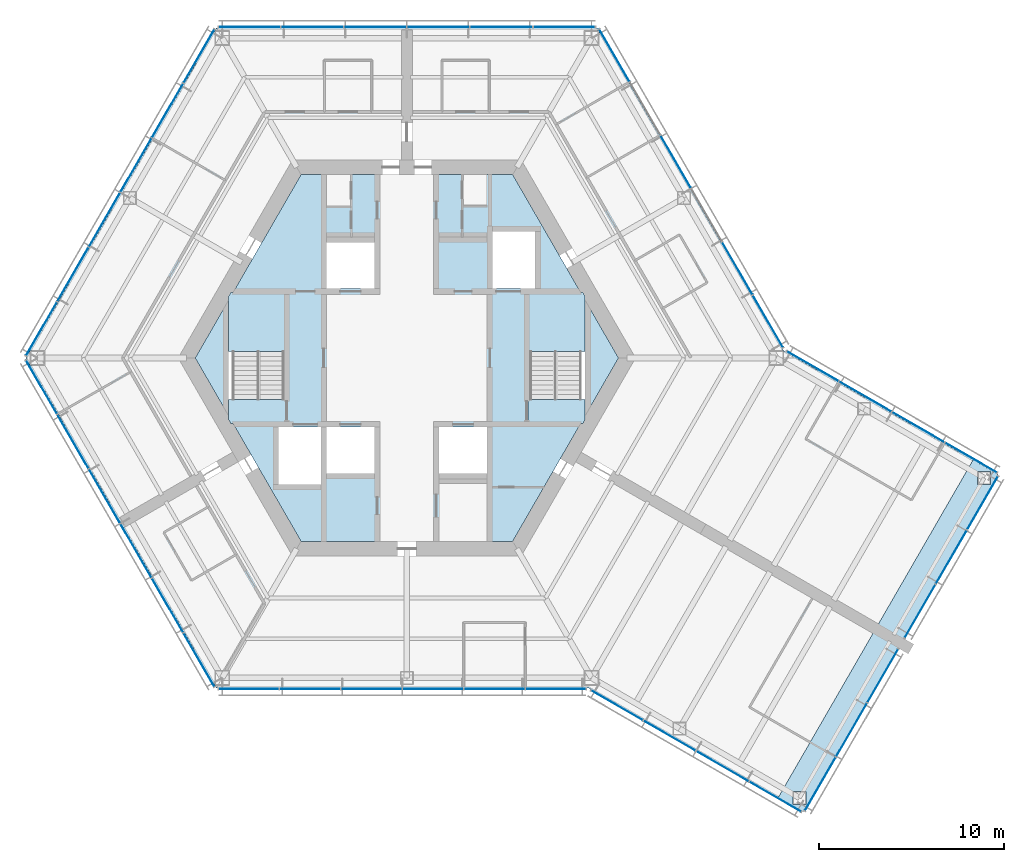
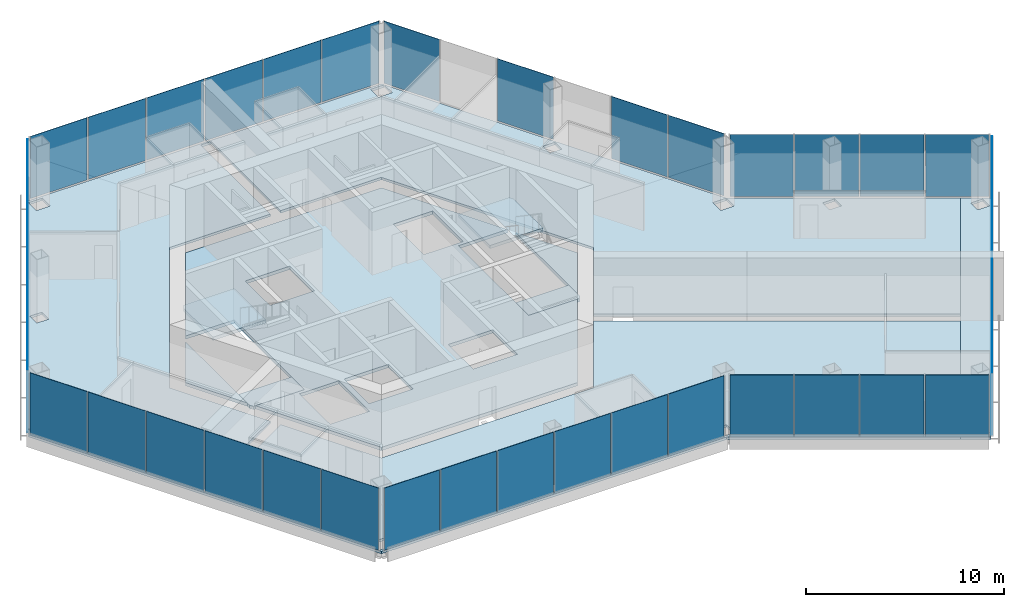
# One storey, part 8 of 15: 42 plates, 9 slabs, 11 elements without a shape of their own.
"""IFC4 building model written with IfcOpenShell, lengths in metres."""

import ifcopenshell
import ifcopenshell.guid

model = None  # the IFC model being written
_history = None  # IfcOwnerHistory: only IFC2X3 demands one
_inside = {}  # id of a spatial element -> (the spatial element, [elements in it])
_under = {}  # id of a project, library or spatial element -> (it, [spatial elements below it])
_declared = {}  # id of a project -> (the project, [libraries it declares])
_typed = {}  # id of a type object -> (the type object, [elements of that type])
_made_of = {}  # id of a material, layer set ... -> (it, [elements and type objects made of it])


def new_model(schema):
    """Start an empty IFC model of exactly this schema.

    Asked for "IFC4X3", IfcOpenShell would pick the latest addendum, in which some entities
    have other attributes; the version numbers below select the first issue.
    IFC2X3 requires an IfcOwnerHistory on every rooted entity: one is made here for all.
    """
    global model, _history
    if schema == "IFC4X3":
        model = ifcopenshell.file(schema_version=(4, 3, 0, 0))
    else:
        model = ifcopenshell.file(schema=schema)
    _inside.clear()
    _under.clear()
    _declared.clear()
    _typed.clear()
    _made_of.clear()
    _history = None
    if model.schema == "IFC2X3":
        org = make("IfcOrganization", Name="unknown")
        user = make(
            "IfcPersonAndOrganization",
            ThePerson=make("IfcPerson", FamilyName="unknown"),
            TheOrganization=org,
        )
        app = make(
            "IfcApplication",
            ApplicationDeveloper=org,
            Version="unknown",
            ApplicationFullName="unknown",
            ApplicationIdentifier="unknown",
        )
        _history = make(
            "IfcOwnerHistory",
            OwningUser=user,
            OwningApplication=app,
            ChangeAction="ADDED",
            CreationDate=0,
        )
    return model


def make(cls, **values):
    """One entity of the class cls with the attributes given. An attribute that is None is left unset."""
    return model.create_entity(
        cls, **{name: value for name, value in values.items() if value is not None}
    )


def rooted(cls, **values):
    """An entity with a GlobalId (a new one), such as an element, a storey or a relation."""
    return make(cls, GlobalId=ifcopenshell.guid.new(), OwnerHistory=_history, **values)


def si_unit(unit_type, name, prefix=None):
    """IfcSIUnit, for example si_unit("LENGTHUNIT", "METRE", prefix="MILLI")."""
    return make("IfcSIUnit", UnitType=unit_type, Prefix=prefix, Name=name)


def assignment(units):
    """IfcUnitAssignment: the units of a project."""
    return None if units is None else make("IfcUnitAssignment", Units=units)


def point(xyz):
    """IfcCartesianPoint."""
    return None if xyz is None else make("IfcCartesianPoint", Coordinates=xyz)


def direction(xyz):
    """IfcDirection."""
    return None if xyz is None else make("IfcDirection", DirectionRatios=xyz)


def frame(location, z_axis=None, x_axis=None):
    """IfcAxis2Placement3D, a coordinate frame: its origin and axes. An axis left out is left unset."""
    return make(
        "IfcAxis2Placement3D",
        Location=point(location),
        Axis=direction(z_axis),
        RefDirection=direction(x_axis),
    )


def frame_2d(location, x_axis=None):
    """IfcAxis2Placement2D, a coordinate frame in the plane: its origin and x axis."""
    return make(
        "IfcAxis2Placement2D", Location=point(location), RefDirection=direction(x_axis)
    )


def origin():
    """The frame at (0, 0, 0) with its axes left unset."""
    return frame((0.0, 0.0, 0.0))


def origin_2d():
    """The frame at (0, 0) in the plane with its x axis left unset."""
    return frame_2d((0.0, 0.0))


def place(relative_to, where):
    """IfcLocalPlacement: puts the frame where relative to a parent placement (None: the world)."""
    return make(
        "IfcLocalPlacement", PlacementRelTo=relative_to, RelativePlacement=where
    )


def context(
    kind, dimensions, precision=None, world=None, true_north=None, identifier=None
):
    """IfcGeometricRepresentationContext, for example the 3D "Model" context."""
    return make(
        "IfcGeometricRepresentationContext",
        ContextIdentifier=identifier,
        ContextType=kind,
        CoordinateSpaceDimension=dimensions,
        Precision=precision,
        WorldCoordinateSystem=world,
        TrueNorth=true_north,
    )


def subcontext(parent, identifier, kind, view, scale=None):
    """IfcGeometricRepresentationSubContext, for example "Body" below "Model"."""
    return make(
        "IfcGeometricRepresentationSubContext",
        ContextIdentifier=identifier,
        ContextType=kind,
        ParentContext=parent,
        TargetScale=scale,
        TargetView=view,
    )


def project(units=None, contexts=None):
    """IfcProject with its units and contexts."""
    return rooted(
        "IfcProject",
        Name="project",
        RepresentationContexts=contexts,
        UnitsInContext=assignment(units),
    )


def spatial(cls, under=None, at=None, **own):
    """A site, building, storey or space (cls), placed at a placement, below another one or the project."""
    s = rooted(cls, ObjectPlacement=at, **own)
    if under is not None:
        _under.setdefault(under.id(), (under, []))[1].append(s)
    return s


def polyline(points):
    """IfcPolyline through the points."""
    return make("IfcPolyline", Points=[point(p) for p in points])


def profile(cls, at=None, kind="AREA", **sizes):
    """A parametric profile (cls). Its sizes go by their IFC names, for example OverallWidth=200.0."""
    return make(cls, ProfileType=kind, Position=at, **sizes)


def rectangle(**sizes):
    """IfcRectangleProfileDef."""
    return profile("IfcRectangleProfileDef", **sizes)


def outline(outer, holes=None, kind="AREA"):
    """IfcArbitraryClosedProfileDef: a profile drawn as a closed curve; with holes, ...WithVoids."""
    if holes is None:
        return make("IfcArbitraryClosedProfileDef", ProfileType=kind, OuterCurve=outer)
    return make(
        "IfcArbitraryProfileDefWithVoids",
        ProfileType=kind,
        OuterCurve=outer,
        InnerCurves=holes,
    )


def extrude(swept, where, along, depth):
    """IfcExtrudedAreaSolid: the profile swept, set in the frame where, extruded along a direction by depth."""
    return make(
        "IfcExtrudedAreaSolid",
        SweptArea=swept,
        Position=where,
        ExtrudedDirection=direction(along),
        Depth=depth,
    )


def shape(context_of_items, identifier, shape_type, items):
    """IfcShapeRepresentation: the items that make up one representation, for example the "Body"."""
    return make(
        "IfcShapeRepresentation",
        ContextOfItems=context_of_items,
        RepresentationIdentifier=identifier,
        RepresentationType=shape_type,
        Items=items,
    )


def material(Name=None, Category=None):
    """IfcMaterial."""
    return make("IfcMaterial", Name=Name, Category=Category)


def layer(
    of_material, thickness, ventilated=None, Name=None, Category=None, Priority=None
):
    """IfcMaterialLayer: one layer of a wall or slab, of a material (None: an air gap)."""
    return make(
        "IfcMaterialLayer",
        Material=of_material,
        LayerThickness=thickness,
        IsVentilated=ventilated,
        Name=Name,
        Category=Category,
        Priority=Priority,
    )


def layer_set(layers, Name=None):
    """IfcMaterialLayerSet."""
    return make("IfcMaterialLayerSet", MaterialLayers=layers, LayerSetName=Name)


def made_of(thing, what):
    """Note that an element or type object is made of a material, layer set ...; save() writes the relation."""
    if what is not None:
        _made_of.setdefault(what.id(), (what, []))[1].append(thing)
    return thing


def type_object(cls, material=None, **own):
    """A type object (cls), such as IfcWallType, which elements share."""
    return made_of(rooted(cls, **own), material)


def element(
    cls,
    number,
    at=None,
    inside=None,
    cuts=None,
    type_object=None,
    material=None,
    context=None,
    identifier="Body",
    shape_type=None,
    held_by="IfcProductDefinitionShape",
    body=None,
    shapes=None,
    **own,
):
    """One element of the class cls, such as IfcWall. Its Tag is "e" and its number.

    at: its placement. inside: the storey or other place that contains it. cuts: it is an
    opening in that element (IfcRelVoidsElement). A single representation is given by context,
    identifier, shape_type and body (its items); several are given by shapes. held_by: the class
    of the entity that holds the representations. save() writes the other relations.
    """
    e = rooted(cls, Tag="e%d" % number, ObjectPlacement=at, **own)
    if body is not None:
        shapes = [shape(context, identifier, shape_type, body)]
    if shapes is not None:
        e.Representation = make(held_by, Representations=shapes)
    if inside is not None:
        _inside.setdefault(inside.id(), (inside, []))[1].append(e)
    if cuts is not None:
        rooted(
            "IfcRelVoidsElement", RelatingBuildingElement=cuts, RelatedOpeningElement=e
        )
    if type_object is not None:
        _typed.setdefault(type_object.id(), (type_object, []))[1].append(e)
    return made_of(e, material)


def aggregate(whole, parts):
    """IfcRelAggregates: a whole, such as a stair, and the parts it consists of."""
    return rooted("IfcRelAggregates", RelatingObject=whole, RelatedObjects=parts)


def save(model, path):
    """Write the relations noted so far, then the file.

    IfcRelAggregates (storeys below a building ...), IfcRelContainedInSpatialStructure (elements
    in a storey), IfcRelDefinesByType, IfcRelAssociatesMaterial and IfcRelDeclares: one each for
    every whole, place, type object, material and project.
    """
    for whole, parts in _under.values():
        aggregate(whole, parts)
    for where, things in _inside.values():
        rooted(
            "IfcRelContainedInSpatialStructure",
            RelatedElements=things,
            RelatingStructure=where,
        )
    for kind, things in _typed.values():
        rooted("IfcRelDefinesByType", RelatedObjects=things, RelatingType=kind)
    for what, things in _made_of.values():
        rooted("IfcRelAssociatesMaterial", RelatedObjects=things, RelatingMaterial=what)
    for by, libraries in _declared.values():
        rooted("IfcRelDeclares", RelatingContext=by, RelatedDefinitions=libraries)
    model.write(path)


model = new_model("IFC4")

# Units and contexts
model_context = context("Model", 3, precision=1e-05, world=origin(), true_north=direction((0.0, 1.0)))
body_context = subcontext(model_context, "Body", "Model", "MODEL_VIEW")
ifc_project = project(units=[si_unit("LENGTHUNIT", "METRE"), si_unit("AREAUNIT", "SQUARE_METRE"), si_unit("VOLUMEUNIT", "CUBIC_METRE"), si_unit("PLANEANGLEUNIT", "RADIAN"), si_unit("MASSUNIT", "GRAM", prefix="KILO")], contexts=[model_context])

# Site, building, storey
site_placement = place(None, origin())
site = spatial("IfcSite", under=ifc_project, at=site_placement, CompositionType="ELEMENT")
building_placement = place(site_placement, origin())
building = spatial("IfcBuilding", under=site, at=building_placement, Name="Kasaneha Research Tower", CompositionType="ELEMENT")
storey_placement = place(building_placement, frame((0.0, 0.0, 244.0)))
storey = spatial("IfcBuildingStorey", under=building, at=storey_placement, Name="L61", CompositionType="ELEMENT", Elevation=244.0)

# Curtain wall, plates
ifc_material_1 = material(Name="Glass and aluminium", Category="aluminium")
curtain_wall_type = type_object("IfcCurtainWallType", Name="High-rise office curtain wall", PredefinedType="USERDEFINED", material=ifc_material_1)
curtain_wall_1_placement = place(storey_placement, origin())
curtain_wall_1 = element("IfcCurtainWall", 1, at=curtain_wall_1_placement, inside=storey, type_object=curtain_wall_type, Name="CW-O3 L61 run 01a", ObjectType="UNITISED CURTAIN WALL", PredefinedType="USERDEFINED")
ifc_material_2 = material(Name="Laminated double glazing", Category="glass")
ifc_layer_1 = layer(ifc_material_2, 0.02392578125)
ifc_layer_set_1 = layer_set([ifc_layer_1], Name="CW-O3 glazed panel")
plate_type = type_object("IfcPlateType", Name="CW-O3 glazed panel", PredefinedType="CURTAIN_PANEL", material=ifc_layer_set_1)
plate_1_placement = place(storey_placement, frame((19.549072265625, 1.981201171875, 0.06005859375), z_axis=(0.0, 0.0, 1.0), x_axis=(-0.499999979232, 0.866025415775, 0.0)))
plate_1 = element("IfcPlate", 2, at=plate_1_placement, type_object=plate_type, Name="CW-O3 panel 1", PredefinedType="CURTAIN_PANEL", context=body_context, shape_type="SweptSolid", body=[
    extrude(rectangle(XDim=3.240966796875, YDim=0.02392578125, at=origin_2d()), origin(), (0.0, 0.0, 1.0), 3.840087890625),
])
plate_2_placement = place(storey_placement, frame((17.89111328125, 4.852783203125, 0.06005859375), z_axis=(0.0, 0.0, 1.0), x_axis=(-0.499999979232, 0.866025415775, 0.0)))
plate_2 = element("IfcPlate", 3, at=plate_2_placement, type_object=plate_type, Name="CW-O3 panel 2", PredefinedType="CURTAIN_PANEL", context=body_context, shape_type="SweptSolid", body=[
    extrude(rectangle(XDim=3.27099609375, YDim=0.02392578125, at=origin_2d()), origin(), (0.0, 0.0, 1.0), 3.840087890625),
])
plate_3_placement = place(storey_placement, frame((14.56005859375, 10.622314453125, 0.06005859375), z_axis=(0.0, 0.0, 1.0), x_axis=(-0.499999979232, 0.866025415775, 0.0)))
plate_3 = element("IfcPlate", 4, at=plate_3_placement, type_object=plate_type, Name="CW-O3 panel 4", PredefinedType="CURTAIN_PANEL", context=body_context, shape_type="SweptSolid", body=[
    extrude(rectangle(XDim=3.27099609375, YDim=0.02392578125, at=origin_2d()), origin(), (0.0, 0.0, 1.0), 3.840087890625),
])
plate_4_placement = place(storey_placement, frame((11.236572265625, 16.378662109375, 0.06005859375), z_axis=(0.0, 0.0, 1.0), x_axis=(-0.499999979232, 0.866025415775, 0.0)))
plate_4 = element("IfcPlate", 5, at=plate_4_placement, type_object=plate_type, Name="CW-O3 panel 6", PredefinedType="CURTAIN_PANEL", context=body_context, shape_type="SweptSolid", body=[
    extrude(rectangle(XDim=3.240966796875, YDim=0.02392578125, at=origin_2d()), origin(), (0.0, 0.0, 1.0), 3.840087890625),
])
aggregate(curtain_wall_1, [plate_1, plate_2, plate_3, plate_4])

curtain_wall_2_placement = place(storey_placement, origin())
curtain_wall_2 = element("IfcCurtainWall", 6, at=curtain_wall_2_placement, inside=storey, type_object=curtain_wall_type, Name="CW-O3 L61 run 02a", ObjectType="UNITISED CURTAIN WALL", PredefinedType="USERDEFINED")
plate_5_placement = place(storey_placement, frame((8.523681640625, 17.92041015625, 0.06005859375), z_axis=(0.0, 0.0, 1.0), x_axis=(-1.0, 0.0, 0.0)))
plate_5 = element("IfcPlate", 7, at=plate_5_placement, type_object=plate_type, Name="CW-O3 panel 1", PredefinedType="CURTAIN_PANEL", context=body_context, shape_type="SweptSolid", body=[
    extrude(rectangle(XDim=3.325439453125, YDim=0.02392578125, at=origin_2d()), origin(), (0.0, 0.0, 1.0), 3.840087890625),
])
plate_6_placement = place(storey_placement, frame((5.123291015625, 17.92041015625, 0.06005859375), z_axis=(0.0, 0.0, 1.0), x_axis=(-1.0, 0.0, 0.0)))
plate_6 = element("IfcPlate", 8, at=plate_6_placement, type_object=plate_type, Name="CW-O3 panel 2", PredefinedType="CURTAIN_PANEL", context=body_context, shape_type="SweptSolid", body=[
    extrude(rectangle(XDim=3.35546875, YDim=0.02392578125, at=origin_2d()), origin(), (0.0, 0.0, 1.0), 3.840087890625),
])
plate_7_placement = place(storey_placement, frame((1.707763671875, 17.92041015625, 0.06005859375), z_axis=(0.0, 0.0, 1.0), x_axis=(-1.0, 0.0, 0.0)))
plate_7 = element("IfcPlate", 9, at=plate_7_placement, type_object=plate_type, Name="CW-O3 panel 3", PredefinedType="CURTAIN_PANEL", context=body_context, shape_type="SweptSolid", body=[
    extrude(rectangle(XDim=3.35546875, YDim=0.02392578125, at=origin_2d()), origin(), (0.0, 0.0, 1.0), 3.840087890625),
])
plate_8_placement = place(storey_placement, frame((-1.707763671875, 17.92041015625, 0.06005859375), z_axis=(0.0, 0.0, 1.0), x_axis=(-1.0, 0.0, 0.0)))
plate_8 = element("IfcPlate", 10, at=plate_8_placement, type_object=plate_type, Name="CW-O3 panel 4", PredefinedType="CURTAIN_PANEL", context=body_context, shape_type="SweptSolid", body=[
    extrude(rectangle(XDim=3.35546875, YDim=0.02392578125, at=origin_2d()), origin(), (0.0, 0.0, 1.0), 3.840087890625),
])
plate_9_placement = place(storey_placement, frame((-5.123291015625, 17.92041015625, 0.06005859375), z_axis=(0.0, 0.0, 1.0), x_axis=(-1.0, 0.0, 0.0)))
plate_9 = element("IfcPlate", 11, at=plate_9_placement, type_object=plate_type, Name="CW-O3 panel 5", PredefinedType="CURTAIN_PANEL", context=body_context, shape_type="SweptSolid", body=[
    extrude(rectangle(XDim=3.35546875, YDim=0.02392578125, at=origin_2d()), origin(), (0.0, 0.0, 1.0), 3.840087890625),
])
plate_10_placement = place(storey_placement, frame((-8.523681640625, 17.92041015625, 0.06005859375), z_axis=(0.0, 0.0, 1.0), x_axis=(-1.0, 0.0, 0.0)))
plate_10 = element("IfcPlate", 12, at=plate_10_placement, type_object=plate_type, Name="CW-O3 panel 6", PredefinedType="CURTAIN_PANEL", context=body_context, shape_type="SweptSolid", body=[
    extrude(rectangle(XDim=3.325439453125, YDim=0.02392578125, at=origin_2d()), origin(), (0.0, 0.0, 1.0), 3.840087890625),
])
aggregate(curtain_wall_2, [plate_5, plate_6, plate_7, plate_8, plate_9, plate_10])

curtain_wall_3_placement = place(storey_placement, origin())
curtain_wall_3 = element("IfcCurtainWall", 13, at=curtain_wall_3_placement, inside=storey, type_object=curtain_wall_type, Name="CW-O3 L61 run 03a", ObjectType="UNITISED CURTAIN WALL", PredefinedType="USERDEFINED")
plate_11_placement = place(storey_placement, frame((-11.2578125, 16.342041015625, 0.06005859375), z_axis=(0.0, 0.0, 1.0), x_axis=(-0.499999995722, -0.866025406254, 0.0)))
plate_11 = element("IfcPlate", 14, at=plate_11_placement, type_object=plate_type, Name="CW-O3 panel 1", PredefinedType="CURTAIN_PANEL", context=body_context, shape_type="SweptSolid", body=[
    extrude(rectangle(XDim=3.325439453125, YDim=0.02392578125, at=origin_2d()), origin(), (0.0, 0.0, 1.0), 3.840087890625),
])
plate_12_placement = place(storey_placement, frame((-12.9580078125, 13.39697265625, 0.06005859375), z_axis=(0.0, 0.0, 1.0), x_axis=(-0.499999995722, -0.866025406254, 0.0)))
plate_12 = element("IfcPlate", 15, at=plate_12_placement, type_object=plate_type, Name="CW-O3 panel 2", PredefinedType="CURTAIN_PANEL", context=body_context, shape_type="SweptSolid", body=[
    extrude(rectangle(XDim=3.35546875, YDim=0.02392578125, at=origin_2d()), origin(), (0.0, 0.0, 1.0), 3.840087890625),
])
plate_13_placement = place(storey_placement, frame((-14.665771484375, 10.439208984375, 0.06005859375), z_axis=(0.0, 0.0, 1.0), x_axis=(-0.499999995722, -0.866025406254, 0.0)))
plate_13 = element("IfcPlate", 16, at=plate_13_placement, type_object=plate_type, Name="CW-O3 panel 3", PredefinedType="CURTAIN_PANEL", context=body_context, shape_type="SweptSolid", body=[
    extrude(rectangle(XDim=3.35546875, YDim=0.02392578125, at=origin_2d()), origin(), (0.0, 0.0, 1.0), 3.840087890625),
])
plate_14_placement = place(storey_placement, frame((-16.37353515625, 7.481201171875, 0.06005859375), z_axis=(0.0, 0.0, 1.0), x_axis=(-0.499999995722, -0.866025406254, 0.0)))
plate_14 = element("IfcPlate", 17, at=plate_14_placement, type_object=plate_type, Name="CW-O3 panel 4", PredefinedType="CURTAIN_PANEL", context=body_context, shape_type="SweptSolid", body=[
    extrude(rectangle(XDim=3.35546875, YDim=0.02392578125, at=origin_2d()), origin(), (0.0, 0.0, 1.0), 3.840087890625),
])
plate_15_placement = place(storey_placement, frame((-18.081298828125, 4.5234375, 0.06005859375), z_axis=(0.0, 0.0, 1.0), x_axis=(-0.499999995722, -0.866025406254, 0.0)))
plate_15 = element("IfcPlate", 18, at=plate_15_placement, type_object=plate_type, Name="CW-O3 panel 5", PredefinedType="CURTAIN_PANEL", context=body_context, shape_type="SweptSolid", body=[
    extrude(rectangle(XDim=3.35546875, YDim=0.02392578125, at=origin_2d()), origin(), (0.0, 0.0, 1.0), 3.840087890625),
])
plate_16_placement = place(storey_placement, frame((-19.781494140625, 1.57861328125, 0.06005859375), z_axis=(0.0, 0.0, 1.0), x_axis=(-0.499999995722, -0.866025406254, 0.0)))
plate_16 = element("IfcPlate", 19, at=plate_16_placement, type_object=plate_type, Name="CW-O3 panel 6", PredefinedType="CURTAIN_PANEL", context=body_context, shape_type="SweptSolid", body=[
    extrude(rectangle(XDim=3.325439453125, YDim=0.02392578125, at=origin_2d()), origin(), (0.0, 0.0, 1.0), 3.840087890625),
])
aggregate(curtain_wall_3, [plate_11, plate_12, plate_13, plate_14, plate_15, plate_16])

curtain_wall_4_placement = place(storey_placement, origin())
curtain_wall_4 = element("IfcCurtainWall", 20, at=curtain_wall_4_placement, inside=storey, type_object=curtain_wall_type, Name="CW-O3 L61 run 04a", ObjectType="UNITISED CURTAIN WALL", PredefinedType="USERDEFINED")
plate_17_placement = place(storey_placement, frame((-19.781494140625, -1.57861328125, 0.06005859375), z_axis=(0.0, 0.0, 1.0), x_axis=(0.499999995722, -0.866025406254, 0.0)))
plate_17 = element("IfcPlate", 21, at=plate_17_placement, type_object=plate_type, Name="CW-O3 panel 1", PredefinedType="CURTAIN_PANEL", context=body_context, shape_type="SweptSolid", body=[
    extrude(rectangle(XDim=3.325439453125, YDim=0.02392578125, at=origin_2d()), origin(), (0.0, 0.0, 1.0), 3.840087890625),
])
plate_18_placement = place(storey_placement, frame((-18.081298828125, -4.5234375, 0.06005859375), z_axis=(0.0, 0.0, 1.0), x_axis=(0.499999995722, -0.866025406254, 0.0)))
plate_18 = element("IfcPlate", 22, at=plate_18_placement, type_object=plate_type, Name="CW-O3 panel 2", PredefinedType="CURTAIN_PANEL", context=body_context, shape_type="SweptSolid", body=[
    extrude(rectangle(XDim=3.35546875, YDim=0.02392578125, at=origin_2d()), origin(), (0.0, 0.0, 1.0), 3.840087890625),
])
plate_19_placement = place(storey_placement, frame((-16.37353515625, -7.481201171875, 0.06005859375), z_axis=(0.0, 0.0, 1.0), x_axis=(0.499999995722, -0.866025406254, 0.0)))
plate_19 = element("IfcPlate", 23, at=plate_19_placement, type_object=plate_type, Name="CW-O3 panel 3", PredefinedType="CURTAIN_PANEL", context=body_context, shape_type="SweptSolid", body=[
    extrude(rectangle(XDim=3.35546875, YDim=0.02392578125, at=origin_2d()), origin(), (0.0, 0.0, 1.0), 3.840087890625),
])
plate_20_placement = place(storey_placement, frame((-14.665771484375, -10.439208984375, 0.06005859375), z_axis=(0.0, 0.0, 1.0), x_axis=(0.499999995722, -0.866025406254, 0.0)))
plate_20 = element("IfcPlate", 24, at=plate_20_placement, type_object=plate_type, Name="CW-O3 panel 4", PredefinedType="CURTAIN_PANEL", context=body_context, shape_type="SweptSolid", body=[
    extrude(rectangle(XDim=3.35546875, YDim=0.02392578125, at=origin_2d()), origin(), (0.0, 0.0, 1.0), 3.840087890625),
])
plate_21_placement = place(storey_placement, frame((-12.9580078125, -13.39697265625, 0.06005859375), z_axis=(0.0, 0.0, 1.0), x_axis=(0.499999995722, -0.866025406254, 0.0)))
plate_21 = element("IfcPlate", 25, at=plate_21_placement, type_object=plate_type, Name="CW-O3 panel 5", PredefinedType="CURTAIN_PANEL", context=body_context, shape_type="SweptSolid", body=[
    extrude(rectangle(XDim=3.35546875, YDim=0.02392578125, at=origin_2d()), origin(), (0.0, 0.0, 1.0), 3.840087890625),
])
plate_22_placement = place(storey_placement, frame((-11.2578125, -16.342041015625, 0.06005859375), z_axis=(0.0, 0.0, 1.0), x_axis=(0.499999995722, -0.866025406254, 0.0)))
plate_22 = element("IfcPlate", 26, at=plate_22_placement, type_object=plate_type, Name="CW-O3 panel 6", PredefinedType="CURTAIN_PANEL", context=body_context, shape_type="SweptSolid", body=[
    extrude(rectangle(XDim=3.325439453125, YDim=0.02392578125, at=origin_2d()), origin(), (0.0, 0.0, 1.0), 3.840087890625),
])
aggregate(curtain_wall_4, [plate_17, plate_18, plate_19, plate_20, plate_21, plate_22])

curtain_wall_5_placement = place(storey_placement, origin())
curtain_wall_5 = element("IfcCurtainWall", 27, at=curtain_wall_5_placement, inside=storey, type_object=curtain_wall_type, Name="CW-O3 L61 run 05a", ObjectType="UNITISED CURTAIN WALL", PredefinedType="USERDEFINED")
plate_23_placement = place(storey_placement, frame((-8.56591796875, -17.92041015625, 0.06005859375), z_axis=(0.0, 0.0, 1.0), x_axis=(1.0, 0.0, 0.0)))
plate_23 = element("IfcPlate", 28, at=plate_23_placement, type_object=plate_type, Name="CW-O3 panel 1", PredefinedType="CURTAIN_PANEL", context=body_context, shape_type="SweptSolid", body=[
    extrude(rectangle(XDim=3.240966796875, YDim=0.02392578125, at=origin_2d()), origin(), (0.0, 0.0, 1.0), 3.840087890625),
])
plate_24_placement = place(storey_placement, frame((-5.25, -17.92041015625, 0.06005859375), z_axis=(0.0, 0.0, 1.0), x_axis=(1.0, 0.0, 0.0)))
plate_24 = element("IfcPlate", 29, at=plate_24_placement, type_object=plate_type, Name="CW-O3 panel 2", PredefinedType="CURTAIN_PANEL", context=body_context, shape_type="SweptSolid", body=[
    extrude(rectangle(XDim=3.27099609375, YDim=0.02392578125, at=origin_2d()), origin(), (0.0, 0.0, 1.0), 3.840087890625),
])
plate_25_placement = place(storey_placement, frame((-1.9189453125, -17.92041015625, 0.06005859375), z_axis=(0.0, 0.0, 1.0), x_axis=(1.0, 0.0, 0.0)))
plate_25 = element("IfcPlate", 30, at=plate_25_placement, type_object=plate_type, Name="CW-O3 panel 3", PredefinedType="CURTAIN_PANEL", context=body_context, shape_type="SweptSolid", body=[
    extrude(rectangle(XDim=3.27099609375, YDim=0.02392578125, at=origin_2d()), origin(), (0.0, 0.0, 1.0), 3.840087890625),
])
plate_26_placement = place(storey_placement, frame((1.411865234375, -17.92041015625, 0.06005859375), z_axis=(0.0, 0.0, 1.0), x_axis=(1.0, 0.0, 0.0)))
plate_26 = element("IfcPlate", 31, at=plate_26_placement, type_object=plate_type, Name="CW-O3 panel 4", PredefinedType="CURTAIN_PANEL", context=body_context, shape_type="SweptSolid", body=[
    extrude(rectangle(XDim=3.27099609375, YDim=0.02392578125, at=origin_2d()), origin(), (0.0, 0.0, 1.0), 3.840087890625),
])
plate_27_placement = place(storey_placement, frame((4.742919921875, -17.92041015625, 0.06005859375), z_axis=(0.0, 0.0, 1.0), x_axis=(1.0, 0.0, 0.0)))
plate_27 = element("IfcPlate", 32, at=plate_27_placement, type_object=plate_type, Name="CW-O3 panel 5", PredefinedType="CURTAIN_PANEL", context=body_context, shape_type="SweptSolid", body=[
    extrude(rectangle(XDim=3.27099609375, YDim=0.02392578125, at=origin_2d()), origin(), (0.0, 0.0, 1.0), 3.840087890625),
])
plate_28_placement = place(storey_placement, frame((8.058837890625, -17.92041015625, 0.06005859375), z_axis=(0.0, 0.0, 1.0), x_axis=(1.0, 0.0, 0.0)))
plate_28 = element("IfcPlate", 33, at=plate_28_placement, type_object=plate_type, Name="CW-O3 panel 6", PredefinedType="CURTAIN_PANEL", context=body_context, shape_type="SweptSolid", body=[
    extrude(rectangle(XDim=3.240966796875, YDim=0.02392578125, at=origin_2d()), origin(), (0.0, 0.0, 1.0), 3.840087890625),
])
aggregate(curtain_wall_5, [plate_23, plate_24, plate_25, plate_26, plate_27, plate_28])

curtain_wall_6_placement = place(storey_placement, origin())
curtain_wall_6 = element("IfcCurtainWall", 34, at=curtain_wall_6_placement, inside=storey, type_object=curtain_wall_type, Name="CW-O3 L61 run 06a", ObjectType="UNITISED CURTAIN WALL", PredefinedType="USERDEFINED")
plate_29_placement = place(storey_placement, frame((11.3720703125, -18.805419921875, 0.06005859375), z_axis=(0.0, 0.0, 1.0), x_axis=(0.866025411464, -0.499999986699, 0.0)))
plate_29 = element("IfcPlate", 35, at=plate_29_placement, type_object=plate_type, Name="CW-O3 panel 1", PredefinedType="CURTAIN_PANEL", context=body_context, shape_type="SweptSolid", body=[
    extrude(rectangle(XDim=3.2197265625, YDim=0.02392578125, at=origin_2d()), origin(), (0.0, 0.0, 1.0), 3.840087890625),
])
plate_30_placement = place(storey_placement, frame((14.225341796875, -20.452880859375, 0.06005859375), z_axis=(0.0, 0.0, 1.0), x_axis=(0.866025411464, -0.499999986699, 0.0)))
plate_30 = element("IfcPlate", 36, at=plate_30_placement, type_object=plate_type, Name="CW-O3 panel 2", PredefinedType="CURTAIN_PANEL", context=body_context, shape_type="SweptSolid", body=[
    extrude(rectangle(XDim=3.249755859375, YDim=0.02392578125, at=origin_2d()), origin(), (0.0, 0.0, 1.0), 3.840087890625),
])
plate_31_placement = place(storey_placement, frame((17.091796875, -22.107666015625, 0.06005859375), z_axis=(0.0, 0.0, 1.0), x_axis=(0.866025411464, -0.499999986699, 0.0)))
plate_31 = element("IfcPlate", 37, at=plate_31_placement, type_object=plate_type, Name="CW-O3 panel 3", PredefinedType="CURTAIN_PANEL", context=body_context, shape_type="SweptSolid", body=[
    extrude(rectangle(XDim=3.249755859375, YDim=0.02392578125, at=origin_2d()), origin(), (0.0, 0.0, 1.0), 3.840087890625),
])
plate_32_placement = place(storey_placement, frame((19.945068359375, -23.755126953125, 0.06005859375), z_axis=(0.0, 0.0, 1.0), x_axis=(0.866025411464, -0.499999986699, 0.0)))
plate_32 = element("IfcPlate", 38, at=plate_32_placement, type_object=plate_type, Name="CW-O3 panel 4", PredefinedType="CURTAIN_PANEL", context=body_context, shape_type="SweptSolid", body=[
    extrude(rectangle(XDim=3.2197265625, YDim=0.02392578125, at=origin_2d()), origin(), (0.0, 0.0, 1.0), 3.840087890625),
])
aggregate(curtain_wall_6, [plate_29, plate_30, plate_31, plate_32])

curtain_wall_7_placement = place(storey_placement, origin())
curtain_wall_7 = element("IfcCurtainWall", 39, at=curtain_wall_7_placement, inside=storey, type_object=curtain_wall_type, Name="CW-O3 L61 run 07a", ObjectType="UNITISED CURTAIN WALL", PredefinedType="USERDEFINED")
plate_33_placement = place(storey_placement, frame((22.385498046875, -23.068359375, 0.06005859375), z_axis=(0.0, 0.0, 1.0), x_axis=(0.500000011442, 0.866025397178, 0.0)))
plate_33 = element("IfcPlate", 40, at=plate_33_placement, type_object=plate_type, Name="CW-O3 panel 1", PredefinedType="CURTAIN_PANEL", context=body_context, shape_type="SweptSolid", body=[
    extrude(rectangle(XDim=3.31005859375, YDim=0.02392578125, at=origin_2d()), origin(), (0.0, 0.0, 1.0), 3.840087890625),
])
plate_34_placement = place(storey_placement, frame((24.077880859375, -20.13671875, 0.06005859375), z_axis=(0.0, 0.0, 1.0), x_axis=(0.500000011442, 0.866025397178, 0.0)))
plate_34 = element("IfcPlate", 41, at=plate_34_placement, type_object=plate_type, Name="CW-O3 panel 2", PredefinedType="CURTAIN_PANEL", context=body_context, shape_type="SweptSolid", body=[
    extrude(rectangle(XDim=3.340087890625, YDim=0.02392578125, at=origin_2d()), origin(), (0.0, 0.0, 1.0), 3.840087890625),
])
plate_35_placement = place(storey_placement, frame((25.7705078125, -17.205322265625, 0.06005859375), z_axis=(0.0, 0.0, 1.0), x_axis=(0.500000011442, 0.866025397178, 0.0)))
plate_35 = element("IfcPlate", 42, at=plate_35_placement, type_object=plate_type, Name="CW-O3 panel 3", PredefinedType="CURTAIN_PANEL", context=body_context, shape_type="SweptSolid", body=[
    extrude(rectangle(XDim=3.31005859375, YDim=0.02392578125, at=origin_2d()), origin(), (0.0, 0.0, 1.0), 3.840087890625),
])
aggregate(curtain_wall_7, [plate_33, plate_34, plate_35])

curtain_wall_8_placement = place(storey_placement, origin())
curtain_wall_8 = element("IfcCurtainWall", 43, at=curtain_wall_8_placement, inside=storey, type_object=curtain_wall_type, Name="CW-O3 L61 run 08a", ObjectType="UNITISED CURTAIN WALL", PredefinedType="USERDEFINED")
plate_36_placement = place(storey_placement, frame((27.785400390625, -13.71533203125, 0.06005859375), z_axis=(0.0, 0.0, 1.0), x_axis=(0.500000011442, 0.866025397178, 0.0)))
plate_36 = element("IfcPlate", 44, at=plate_36_placement, type_object=plate_type, Name="CW-O3 panel 1", PredefinedType="CURTAIN_PANEL", context=body_context, shape_type="SweptSolid", body=[
    extrude(rectangle(XDim=3.31005859375, YDim=0.02392578125, at=origin_2d()), origin(), (0.0, 0.0, 1.0), 3.840087890625),
])
plate_37_placement = place(storey_placement, frame((29.47802734375, -10.78369140625, 0.06005859375), z_axis=(0.0, 0.0, 1.0), x_axis=(0.500000011442, 0.866025397178, 0.0)))
plate_37 = element("IfcPlate", 45, at=plate_37_placement, type_object=plate_type, Name="CW-O3 panel 2", PredefinedType="CURTAIN_PANEL", context=body_context, shape_type="SweptSolid", body=[
    extrude(rectangle(XDim=3.340087890625, YDim=0.02392578125, at=origin_2d()), origin(), (0.0, 0.0, 1.0), 3.840087890625),
])
plate_38_placement = place(storey_placement, frame((31.17041015625, -7.852294921875, 0.06005859375), z_axis=(0.0, 0.0, 1.0), x_axis=(0.500000011442, 0.866025397178, 0.0)))
plate_38 = element("IfcPlate", 46, at=plate_38_placement, type_object=plate_type, Name="CW-O3 panel 3", PredefinedType="CURTAIN_PANEL", context=body_context, shape_type="SweptSolid", body=[
    extrude(rectangle(XDim=3.31005859375, YDim=0.02392578125, at=origin_2d()), origin(), (0.0, 0.0, 1.0), 3.840087890625),
])
aggregate(curtain_wall_8, [plate_36, plate_37, plate_38])

curtain_wall_9_placement = place(storey_placement, origin())
curtain_wall_9 = element("IfcCurtainWall", 47, at=curtain_wall_9_placement, inside=storey, type_object=curtain_wall_type, Name="CW-O3 L61 run 09a", ObjectType="UNITISED CURTAIN WALL", PredefinedType="USERDEFINED")
plate_39_placement = place(storey_placement, frame((30.545166015625, -5.3955078125, 0.06005859375), z_axis=(0.0, 0.0, 1.0), x_axis=(-0.866025411464, 0.499999986699, 0.0)))
plate_39 = element("IfcPlate", 48, at=plate_39_placement, type_object=plate_type, Name="CW-O3 panel 1", PredefinedType="CURTAIN_PANEL", context=body_context, shape_type="SweptSolid", body=[
    extrude(rectangle(XDim=3.2197265625, YDim=0.02392578125, at=origin_2d()), origin(), (0.0, 0.0, 1.0), 3.840087890625),
])
plate_40_placement = place(storey_placement, frame((27.69189453125, -3.748046875, 0.06005859375), z_axis=(0.0, 0.0, 1.0), x_axis=(-0.866025411464, 0.499999986699, 0.0)))
plate_40 = element("IfcPlate", 49, at=plate_40_placement, type_object=plate_type, Name="CW-O3 panel 2", PredefinedType="CURTAIN_PANEL", context=body_context, shape_type="SweptSolid", body=[
    extrude(rectangle(XDim=3.249755859375, YDim=0.02392578125, at=origin_2d()), origin(), (0.0, 0.0, 1.0), 3.840087890625),
])
plate_41_placement = place(storey_placement, frame((24.825439453125, -2.093017578125, 0.06005859375), z_axis=(0.0, 0.0, 1.0), x_axis=(-0.866025411464, 0.499999986699, 0.0)))
plate_41 = element("IfcPlate", 50, at=plate_41_placement, type_object=plate_type, Name="CW-O3 panel 3", PredefinedType="CURTAIN_PANEL", context=body_context, shape_type="SweptSolid", body=[
    extrude(rectangle(XDim=3.249755859375, YDim=0.02392578125, at=origin_2d()), origin(), (0.0, 0.0, 1.0), 3.840087890625),
])
plate_42_placement = place(storey_placement, frame((21.971923828125, -0.44580078125, 0.06005859375), z_axis=(0.0, 0.0, 1.0), x_axis=(-0.866025411464, 0.499999986699, 0.0)))
plate_42 = element("IfcPlate", 51, at=plate_42_placement, type_object=plate_type, Name="CW-O3 panel 4", PredefinedType="CURTAIN_PANEL", context=body_context, shape_type="SweptSolid", body=[
    extrude(rectangle(XDim=3.2197265625, YDim=0.02392578125, at=origin_2d()), origin(), (0.0, 0.0, 1.0), 3.840087890625),
])
aggregate(curtain_wall_9, [plate_39, plate_40, plate_41, plate_42])

# Slabs
ifc_material_3 = material(Name="Concrete Fc24", Category="concrete")
ifc_layer_2 = layer(ifc_material_3, 0.199951171875)
ifc_layer_set_2 = layer_set([ifc_layer_2], Name="Core floor slab 200")
slab_type_1 = type_object("IfcSlabType", Name="Core floor slab 200", PredefinedType="FLOOR", material=ifc_layer_set_2)
slab_1_placement = place(storey_placement, frame((0.0, 0.0, -0.199951171875)))
element("IfcSlab", 52, at=slab_1_placement, inside=storey, type_object=slab_type_1, Name="Core slab L61", PredefinedType="FLOOR", context=body_context, shape_type="SweptSolid", body=[
    extrude(outline(polyline([(-11.46044921875, 0.0), (-9.64990234375, 3.1357421875), (-9.64990234375, -3.1357421875), (-11.46044921875, 0.0)])), origin(), (0.0, 0.0, 1.0), 0.199951171875),
])
slab_2_placement = place(storey_placement, frame((0.0, 0.0, -0.199951171875)))
element("IfcSlab", 53, at=slab_2_placement, inside=storey, type_object=slab_type_1, Name="Core slab L61", PredefinedType="FLOOR", context=body_context, shape_type="SweptSolid", body=[
    extrude(outline(polyline([(-5.730224609375, 9.925048828125), (5.730224609375, 9.925048828125), (9.410888671875, 3.550048828125), (6.550048828125, 3.550048828125), (6.550048828125, -3.550048828125), (9.410888671875, -3.550048828125), (5.730224609375, -9.925048828125), (-5.730224609375, -9.925048828125), (-9.410888671875, -3.550048828125), (-6.550048828125, -3.550048828125), (-6.550048828125, 3.550048828125), (-9.410888671875, 3.550048828125), (-5.730224609375, 9.925048828125)]), holes=[polyline([(-6.949951171875, -6.85009765625), (-4.64990234375, -6.85009765625), (-4.64990234375, -3.75), (-6.949951171875, -3.75), (-6.949951171875, -6.85009765625)]), polyline([(-4.35009765625, -3.75), (-4.35009765625, -6.25), (-1.75, -6.25), (-1.75, -3.75), (-4.35009765625, -3.75)]), polyline([(1.75, -3.75), (1.75, -6.25), (4.35009765625, -6.25), (4.35009765625, -3.75), (1.75, -3.75)]), polyline([(-4.35009765625, 6.25), (-4.35009765625, 3.75), (-1.75, 3.75), (-1.75, 6.25), (-4.35009765625, 6.25)]), polyline([(4.64990234375, 6.85009765625), (4.64990234375, 3.75), (6.949951171875, 3.75), (6.949951171875, 6.85009765625), (4.64990234375, 6.85009765625)])]), origin(), (0.0, 0.0, 1.0), 0.199951171875),
])
slab_3_placement = place(storey_placement, frame((0.0, 0.0, -0.199951171875)))
element("IfcSlab", 54, at=slab_3_placement, inside=storey, type_object=slab_type_1, Name="Core slab L61", PredefinedType="FLOOR", context=body_context, shape_type="SweptSolid", body=[
    extrude(outline(polyline([(11.46044921875, 0.0), (9.64990234375, -3.1357421875), (9.64990234375, 3.1357421875), (11.46044921875, 0.0)])), origin(), (0.0, 0.0, 1.0), 0.199951171875),
])
ifc_material_4 = material(Name="Concrete Fc24", Category="concrete")
ifc_layer_3 = layer(ifc_material_4, 0.14990234375)
ifc_layer_set_3 = layer_set([ifc_layer_3], Name="Floor slab 150")
slab_type_2 = type_object("IfcSlabType", Name="Floor slab 150", PredefinedType="FLOOR", material=ifc_layer_set_3)
slab_4_placement = place(storey_placement, frame((0.0, 0.0, -0.14990234375)))
element("IfcSlab", 55, at=slab_4_placement, inside=storey, type_object=slab_type_2, Name="Floor slab L61 1", PredefinedType="FLOOR", context=body_context, shape_type="SweptSolid", body=[
    extrude(outline(polyline([(-10.317626953125, -17.87060546875), (-10.3974609375, -17.732177734375), (-10.385986328125, -17.720703125), (-9.599853515625, -17.720703125), (-9.599853515625, -16.92041015625), (-10.400146484375, -16.92041015625), (-10.400146484375, -17.70654296875), (-10.40771484375, -17.714111328125), (-20.635009765625, 0.0), (-20.40771484375, 0.3935546875), (-20.400146484375, 0.385986328125), (-20.400146484375, -0.400146484375), (-19.599853515625, -0.400146484375), (-19.599853515625, 0.400146484375), (-20.385986328125, 0.400146484375), (-20.3974609375, 0.41162109375), (-10.40771484375, 17.714111328125), (-10.400146484375, 17.70654296875), (-10.400146484375, 16.92041015625), (-9.599853515625, 16.92041015625), (-9.599853515625, 17.720703125), (-10.385986328125, 17.720703125), (-10.3974609375, 17.732177734375), (-10.317626953125, 17.87060546875), (10.317626953125, 17.87060546875), (10.3974609375, 17.732177734375), (10.385986328125, 17.720703125), (9.599853515625, 17.720703125), (9.599853515625, 16.92041015625), (10.400146484375, 16.92041015625), (10.400146484375, 17.70654296875), (10.40771484375, 17.714111328125), (20.3974609375, 0.41162109375), (20.385986328125, 0.400146484375), (19.599853515625, 0.400146484375), (19.599853515625, -0.400146484375), (20.400146484375, -0.400146484375), (20.400146484375, 0.385986328125), (20.41162109375, 0.3974609375), (30.65869140625, -5.518798828125), (25.53369140625, -14.3955078125), (9.438232421875, -5.102783203125), (12.38427734375, 0.0), (6.192138671875, 10.72509765625), (0.300048828125, 10.72509765625), (0.300048828125, 17.7705078125), (-0.300048828125, 17.7705078125), (-0.300048828125, 10.72509765625), (-6.192138671875, 10.72509765625), (-12.38427734375, 0.0), (-9.438232421875, -5.102783203125), (-15.539794921875, -8.62548828125), (-15.23974609375, -9.14501953125), (-9.13818359375, -5.622314453125), (-6.192138671875, -10.72509765625), (6.192138671875, -10.72509765625), (9.13818359375, -5.622314453125), (25.233642578125, -14.9150390625), (20.108642578125, -23.791748046875), (9.8525390625, -17.87060546875), (-10.317626953125, -17.87060546875)]), holes=[polyline([(-0.35009765625, -17.67041015625), (0.35009765625, -17.67041015625), (0.35009765625, -16.970458984375), (-0.35009765625, -16.970458984375), (-0.35009765625, -17.67041015625)]), polyline([(-15.35009765625, 8.310302734375), (-14.64990234375, 8.310302734375), (-14.64990234375, 9.01025390625), (-15.35009765625, 9.01025390625), (-15.35009765625, 8.310302734375)]), polyline([(14.4130859375, -20.42041015625), (15.113037109375, -20.42041015625), (15.113037109375, -19.720458984375), (14.4130859375, -19.720458984375), (14.4130859375, -20.42041015625)]), polyline([(9.60009765625, -17.720458984375), (10.39990234375, -17.720458984375), (10.39990234375, -16.92041015625), (9.60009765625, -16.92041015625), (9.60009765625, -17.720458984375)]), polyline([(24.4130859375, -3.10009765625), (25.113037109375, -3.10009765625), (25.113037109375, -2.39990234375), (24.4130859375, -2.39990234375), (24.4130859375, -3.10009765625)]), polyline([(14.64990234375, 9.01025390625), (14.64990234375, 8.310302734375), (15.35009765625, 8.310302734375), (15.35009765625, 9.01025390625), (14.64990234375, 9.01025390625)])]), origin(), (0.0, 0.0, 1.0), 0.14990234375),
])
slab_5_placement = place(storey_placement, frame((0.0, 0.0, -0.14990234375)))
element("IfcSlab", 56, at=slab_5_placement, inside=storey, type_object=slab_type_2, Name="Floor slab L61 2", PredefinedType="FLOOR", context=body_context, shape_type="SweptSolid", body=[
    extrude(outline(polyline([(32.009521484375, -6.298583984375), (21.459716796875, -24.57177734375), (20.108642578125, -23.791748046875), (25.233642578125, -14.9150390625), (25.2421875, -14.920166015625), (25.542236328125, -14.400390625), (25.53369140625, -14.3955078125), (30.65869140625, -5.518798828125), (32.009521484375, -6.298583984375)]), holes=[polyline([(20.908447265625, -24.17041015625), (21.6083984375, -24.17041015625), (21.6083984375, -23.470458984375), (20.908447265625, -23.470458984375), (20.908447265625, -24.17041015625)]), polyline([(30.908447265625, -6.85009765625), (31.6083984375, -6.85009765625), (31.6083984375, -6.14990234375), (30.908447265625, -6.14990234375), (30.908447265625, -6.85009765625)])]), origin(), (0.0, 0.0, 1.0), 0.14990234375),
])

# Stair, slabs
ifc_material_5 = material(Name="Concrete Fc24", Category="concrete")
stair_type = type_object("IfcStairType", Name="Half-turn stair 22 risers", PredefinedType="HALF_TURN_STAIR", material=ifc_material_5)
stair_1_placement = place(storey_placement, origin())
stair_1 = element("IfcStair", 57, at=stair_1_placement, inside=storey, type_object=stair_type, Name="Stair 1 L61", PredefinedType="HALF_TURN_STAIR")
ifc_material_6 = material(Name="Concrete Fc24", Category="concrete")
ifc_layer_4 = layer(ifc_material_6, 0.199951171875)
ifc_layer_set_4 = layer_set([ifc_layer_4], Name="Stair 1 landing 200")
slab_type_3 = type_object("IfcSlabType", Name="Stair 1 landing 200", PredefinedType="LANDING", material=ifc_layer_set_4)
slab_6_placement = place(storey_placement, frame((0.0, 0.0, -0.199951171875)))
slab_6 = element("IfcSlab", 58, at=slab_6_placement, type_object=slab_type_3, Name="ST1-22R landing 1", PredefinedType="LANDING", context=body_context, shape_type="SweptSolid", body=[
    extrude(outline(polyline([(9.5263671875, -3.550048828125), (6.550048828125, -3.550048828125), (6.550048828125, -2.25), (9.64990234375, -2.25), (9.64990234375, -3.335693359375), (9.5263671875, -3.550048828125)])), origin(), (0.0, 0.0, 1.0), 0.199951171875),
])
slab_7_placement = place(storey_placement, frame((0.0, 0.0, 1.75)))
slab_7 = element("IfcSlab", 59, at=slab_7_placement, type_object=slab_type_3, Name="ST1-22R landing 2", PredefinedType="LANDING", context=body_context, shape_type="SweptSolid", body=[
    extrude(outline(polyline([(6.550048828125, 3.550048828125), (9.5263671875, 3.550048828125), (9.64990234375, 3.335693359375), (9.64990234375, 0.35009765625), (6.550048828125, 0.35009765625), (6.550048828125, 3.550048828125)])), origin(), (0.0, 0.0, 1.0), 0.199951171875),
])
aggregate(stair_1, [slab_6, slab_7])

stair_2_placement = place(storey_placement, origin())
stair_2 = element("IfcStair", 60, at=stair_2_placement, inside=storey, type_object=stair_type, Name="Stair 2 L61", PredefinedType="HALF_TURN_STAIR")
ifc_material_7 = material(Name="Concrete Fc24", Category="concrete")
ifc_layer_5 = layer(ifc_material_7, 0.199951171875)
ifc_layer_set_5 = layer_set([ifc_layer_5], Name="Stair 2 landing 200")
slab_type_4 = type_object("IfcSlabType", Name="Stair 2 landing 200", PredefinedType="LANDING", material=ifc_layer_set_5)
slab_8_placement = place(storey_placement, frame((0.0, 0.0, -0.199951171875)))
slab_8 = element("IfcSlab", 61, at=slab_8_placement, type_object=slab_type_4, Name="ST2-22R landing 1", PredefinedType="LANDING", context=body_context, shape_type="SweptSolid", body=[
    extrude(outline(polyline([(-6.550048828125, -3.550048828125), (-9.5263671875, -3.550048828125), (-9.64990234375, -3.335693359375), (-9.64990234375, -2.25), (-6.550048828125, -2.25), (-6.550048828125, -3.550048828125)])), origin(), (0.0, 0.0, 1.0), 0.199951171875),
])
slab_9_placement = place(storey_placement, frame((0.0, 0.0, 1.75)))
slab_9 = element("IfcSlab", 62, at=slab_9_placement, type_object=slab_type_4, Name="ST2-22R landing 2", PredefinedType="LANDING", context=body_context, shape_type="SweptSolid", body=[
    extrude(outline(polyline([(-6.550048828125, 0.35009765625), (-9.64990234375, 0.35009765625), (-9.64990234375, 3.335693359375), (-9.5263671875, 3.550048828125), (-6.550048828125, 3.550048828125), (-6.550048828125, 0.35009765625)])), origin(), (0.0, 0.0, 1.0), 0.199951171875),
])
aggregate(stair_2, [slab_8, slab_9])

save(model, "model.ifc")
